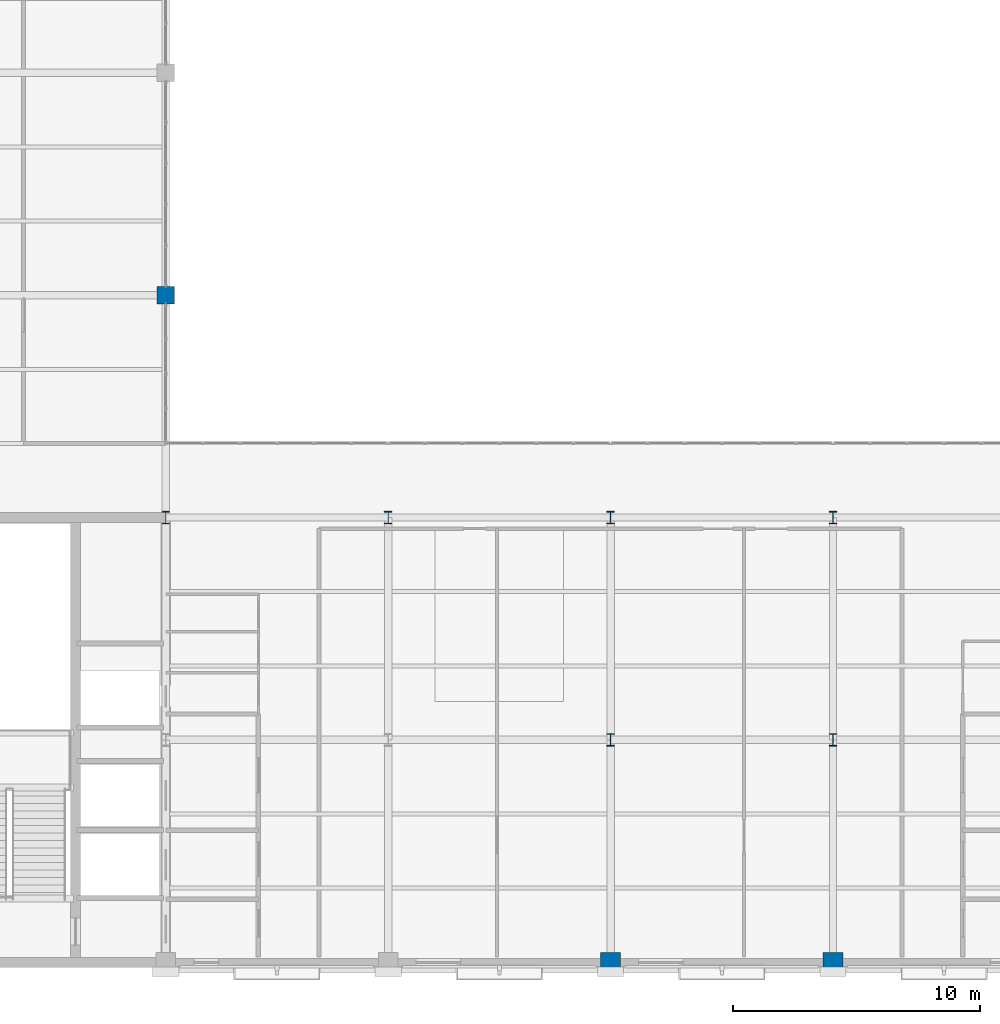
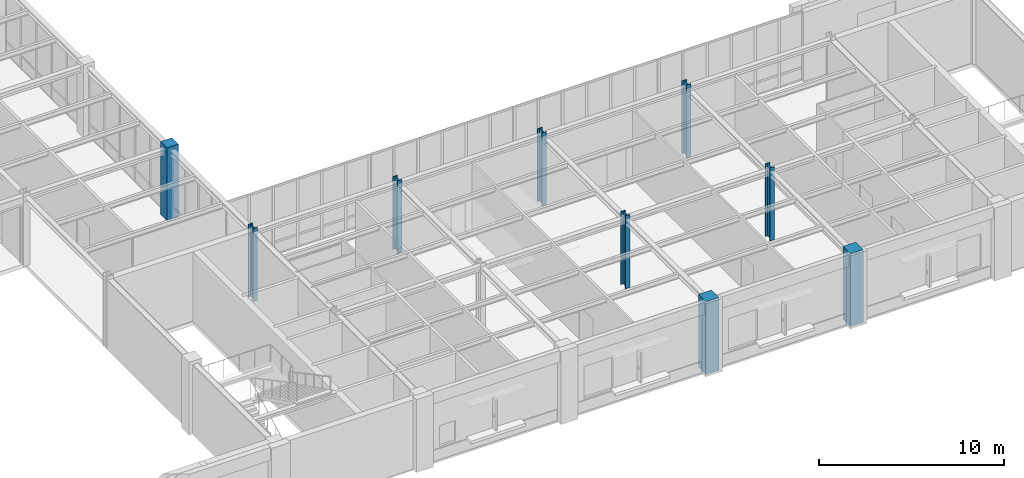
# One storey, part 2 of 98: 9 columns.
"""IFC4 building model written with IfcOpenShell, lengths in metres."""

from ifc_helpers import new_model, si_unit, direction, frame, origin, origin_2d, place, context, subcontext, project, spatial, rectangle, i_section, extrude, material, material_profile, profile_set, type_object, element, save


model = new_model("IFC4")

# Units and contexts
model_context = context("Model", 3, precision=1e-05, world=origin(), true_north=direction((0.0, 1.0)))
body_context = subcontext(model_context, "Body", "Model", "MODEL_VIEW")
ifc_project = project(units=[si_unit("LENGTHUNIT", "METRE"), si_unit("AREAUNIT", "SQUARE_METRE"), si_unit("VOLUMEUNIT", "CUBIC_METRE"), si_unit("PLANEANGLEUNIT", "RADIAN"), si_unit("MASSUNIT", "GRAM", prefix="KILO")], contexts=[model_context])

# Site, building, storey
site_placement = place(None, origin())
site = spatial("IfcSite", under=ifc_project, at=site_placement, CompositionType="ELEMENT")
building_placement = place(site_placement, origin())
building = spatial("IfcBuilding", under=site, at=building_placement, Name="Lykobir Media Centre", CompositionType="ELEMENT")
storey_placement = place(building_placement, frame((0.0, 0.0, 10.199951171875)))
storey = spatial("IfcBuildingStorey", under=building, at=storey_placement, Name="L02", CompositionType="ELEMENT", Elevation=10.199951171875)

# Columns
ifc_material_1 = material(Name="Concrete C40/50", Category="concrete")
ifc_material_profile_1 = material_profile(ifc_material_1, rectangle(XDim=0.699951171875, YDim=0.699951171875, at=origin_2d()), Name="RC 700x700")
ifc_profile_set_1 = profile_set([ifc_material_profile_1], Name="Concrete C40/50")
column_type_1 = type_object("IfcColumnType", Name="RC-C700", PredefinedType="COLUMN", material=ifc_profile_set_1)
column_placement = place(storey_placement, frame((36.0, 27.0, 0.0), z_axis=(0.0, 0.0, 1.0), x_axis=(1.0, 0.0, 0.0)))
element("IfcColumn", 1, at=column_placement, inside=storey, type_object=column_type_1, Name="Column COL-L02-0360-0270", PredefinedType="COLUMN", context=body_context, shape_type="SweptSolid", body=[
    extrude(rectangle(XDim=0.699951171875, YDim=0.699951171875, at=origin_2d()), origin(), (0.0, 0.0, 1.0), 4.800048828125),
])
ifc_material_profile_2 = material_profile(ifc_material_1, rectangle(XDim=0.800048828125, YDim=0.800048828125, at=origin_2d()), Name="RC 800x800")
ifc_profile_set_2 = profile_set([ifc_material_profile_2], Name="Concrete C40/50")
column_type_2 = type_object("IfcColumnType", Name="RC-C800-E", PredefinedType="COLUMN", material=ifc_profile_set_2)
for number, where, z_axis, x_axis, name in (
    (2, (54.0, 0.0, 0.0), (0.0, 0.0, 1.0), (1.0, 0.0, 0.0), "Column COL-L02-0540-0000"),
    (3, (63.0, 0.0, 0.0), (0.0, 0.0, 1.0), (1.0, 0.0, 0.0), "Column COL-L02-0630-0000"),
):
    element("IfcColumn", number, at=place(storey_placement, frame(where, z_axis=z_axis, x_axis=x_axis)), inside=storey, type_object=column_type_2, Name=name, PredefinedType="COLUMN", context=body_context, shape_type="SweptSolid", body=[
        extrude(rectangle(XDim=0.800048828125, YDim=0.800048828125, at=origin_2d()), origin(), (0.0, 0.0, 1.0), 4.800048828125),
    ])
ifc_material_2 = material(Name="Steel S355", Category="steel")
ifc_material_profile_3 = material_profile(ifc_material_2, i_section(OverallWidth=0.300048828125, OverallDepth=0.5, WebThickness=0.014404296875, FlangeThickness=0.028076171875, at=origin_2d()), Name="HEB 500")
ifc_profile_set_3 = profile_set([ifc_material_profile_3], Name="Steel S355")
column_type_3 = type_object("IfcColumnType", Name="SC-HEB500", PredefinedType="COLUMN", material=ifc_profile_set_3)
for number, where, z_axis, x_axis, name in (
    (4, (36.0, 18.0, 0.0), (0.0, 0.0, 1.0), (1.0, 0.0, 0.0), "Column COL-L02-0360-0180"),
    (5, (45.0, 18.0, 0.0), (0.0, 0.0, 1.0), (1.0, 0.0, 0.0), "Column COL-L02-0450-0180"),
    (6, (54.0, 9.0, 0.0), (0.0, 0.0, 1.0), (1.0, 0.0, 0.0), "Column COL-L02-0540-0090"),
    (7, (54.0, 18.0, 0.0), (0.0, 0.0, 1.0), (1.0, 0.0, 0.0), "Column COL-L02-0540-0180"),
    (8, (63.0, 9.0, 0.0), (0.0, 0.0, 1.0), (1.0, 0.0, 0.0), "Column COL-L02-0630-0090"),
    (9, (63.0, 18.0, 0.0), (0.0, 0.0, 1.0), (1.0, 0.0, 0.0), "Column COL-L02-0630-0180"),
):
    element("IfcColumn", number, at=place(storey_placement, frame(where, z_axis=z_axis, x_axis=x_axis)), inside=storey, type_object=column_type_3, Name=name, PredefinedType="COLUMN", context=body_context, shape_type="SweptSolid", body=[
        extrude(i_section(OverallWidth=0.300048828125, OverallDepth=0.5, WebThickness=0.014404296875, FlangeThickness=0.028076171875, at=origin_2d()), origin(), (0.0, 0.0, 1.0), 4.800048828125),
    ])

save(model, "model.ifc")
